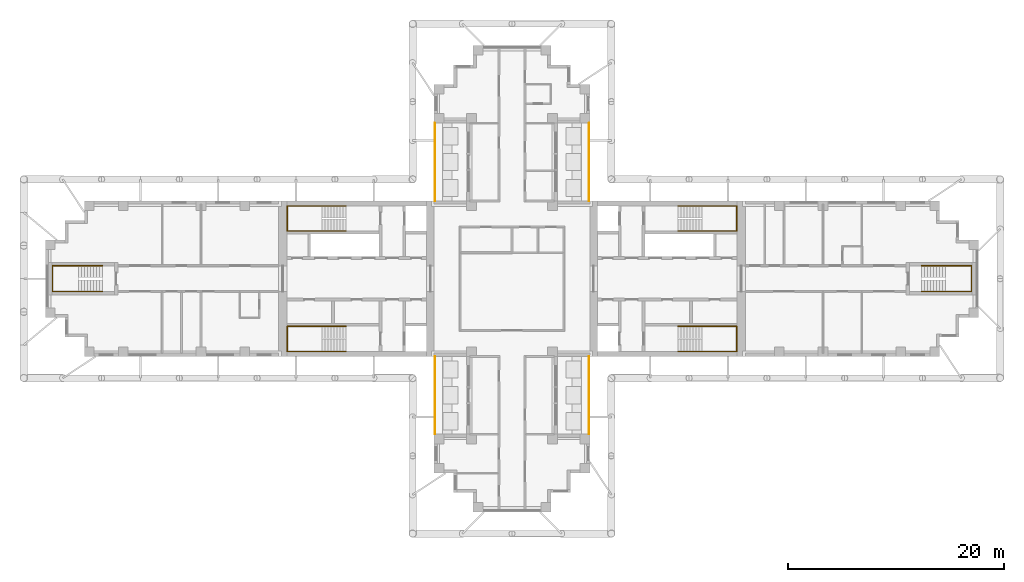
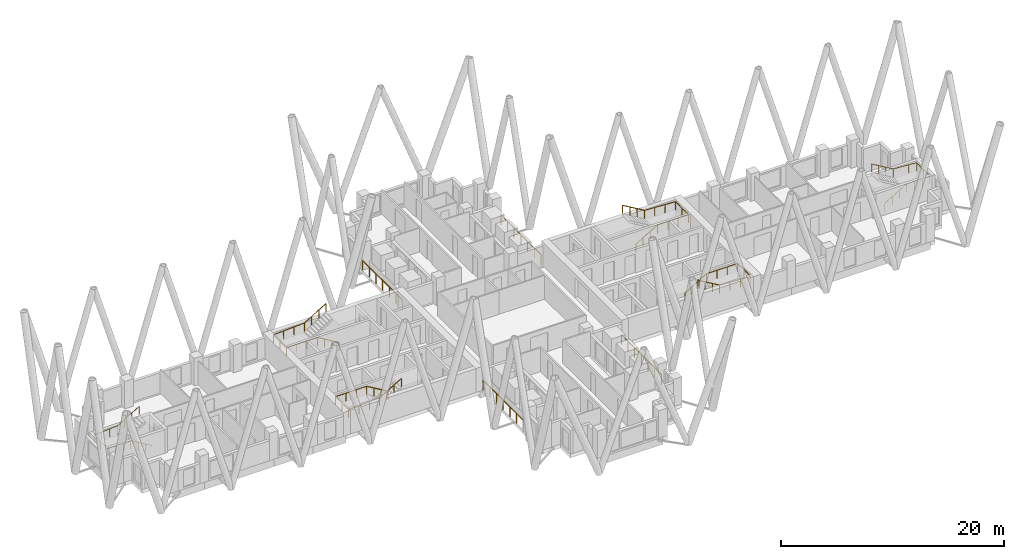
# One storey, part 11 of 12: 10 railings.
"""IFC4 building model written with IfcOpenShell, lengths in metres."""

from ifc_helpers import new_model, si_unit, direction, frame, origin, origin_2d, place, context, subcontext, project, spatial, circle, extrude, material, type_object, element, save


model = new_model("IFC4")

# Units and contexts
model_context = context("Model", 3, precision=1e-05, world=origin(), true_north=direction((0.0, 1.0)))
body_context = subcontext(model_context, "Body", "Model", "MODEL_VIEW")
ifc_project = project(units=[si_unit("LENGTHUNIT", "METRE"), si_unit("AREAUNIT", "SQUARE_METRE"), si_unit("VOLUMEUNIT", "CUBIC_METRE"), si_unit("PLANEANGLEUNIT", "RADIAN"), si_unit("MASSUNIT", "GRAM", prefix="KILO")], contexts=[model_context])

# Site, building, storey
site_placement = place(None, origin())
site = spatial("IfcSite", under=ifc_project, at=site_placement, CompositionType="ELEMENT")
building_placement = place(site_placement, origin())
building = spatial("IfcBuilding", under=site, at=building_placement, Name="Fustian Cross Tower", CompositionType="ELEMENT")
storey_placement = place(building_placement, frame((0.0, 0.0, 141.300048828125)))
storey = spatial("IfcBuildingStorey", under=building, at=storey_placement, Name="L44", CompositionType="ELEMENT", Elevation=141.300048828125)

# Railings
ifc_material_1 = material(Name="Stainless steel and glass", Category="steel")
railing_type_1 = type_object("IfcRailingType", Name="GR1 BALCONY GUARD 1100", PredefinedType="GUARDRAIL", material=ifc_material_1)
for number, where, name in (
    (1, (7.14990234375, 7.199951171875, 0.0), "Balcony guard"),
    (2, (-7.14990234375, 7.199951171875, 0.0), "Balcony guard"),
    (3, (7.14990234375, -14.39990234375, 0.0), "Balcony guard"),
    (4, (-7.14990234375, -14.39990234375, 0.0), "Balcony guard"),
):
    element("IfcRailing", number, at=place(storey_placement, frame(where)), inside=storey, type_object=railing_type_1, Name=name, PredefinedType="GUARDRAIL", context=body_context, shape_type="SweptSolid", body=[
        extrude(circle(Radius=0.02392578125, at=origin_2d()), frame((0.0, 0.0, 1.076171875), z_axis=(0.0, 1.0, 0.0), x_axis=(-1.0, 0.0, 0.0)), (0.0, 0.0, 1.0), 7.199951171875),
        extrude(circle(Radius=0.02099609375, at=origin_2d()), origin(), (0.0, 0.0, 1.0), 1.052001953125),
        extrude(circle(Radius=0.02099609375, at=origin_2d()), frame((0.0, 1.199951171875, 0.0)), (0.0, 0.0, 1.0), 1.052001953125),
        extrude(circle(Radius=0.02099609375, at=origin_2d()), frame((0.0, 2.39990234375, 0.0)), (0.0, 0.0, 1.0), 1.052001953125),
        extrude(circle(Radius=0.02099609375, at=origin_2d()), frame((0.0, 3.60009765625, 0.0)), (0.0, 0.0, 1.0), 1.052001953125),
        extrude(circle(Radius=0.02099609375, at=origin_2d()), frame((0.0, 4.800048828125, 0.0)), (0.0, 0.0, 1.0), 1.052001953125),
        extrude(circle(Radius=0.02099609375, at=origin_2d()), frame((0.0, 6.0, 0.0)), (0.0, 0.0, 1.0), 1.052001953125),
        extrude(circle(Radius=0.02099609375, at=origin_2d()), frame((0.0, 7.199951171875, 0.0)), (0.0, 0.0, 1.0), 1.052001953125),
    ])
ifc_material_2 = material(Name="Stainless steel", Category="steel")
railing_type_2 = type_object("IfcRailingType", Name="STAIR HANDRAIL", PredefinedType="HANDRAIL", material=ifc_material_2)
railing_1_placement = place(storey_placement, frame((15.35009765625, 4.39990234375, 0.16650390625)))
element("IfcRailing", 5, at=railing_1_placement, inside=storey, type_object=railing_type_2, Name="Stair ST1 handrail 1", PredefinedType="HANDRAIL", context=body_context, shape_type="SweptSolid", body=[
    extrude(circle(Radius=0.02490234375, at=origin_2d()), frame((0.0, 0.0, 0.875), z_axis=(0.859264461869, 0.0, 0.511531606619), x_axis=(0.0, 1.0, 0.0)), (0.0, 0.0, 1.0), 2.60693359375),
    extrude(circle(Radius=0.02490234375, at=origin_2d()), frame((2.239990234375, 0.0, 2.20849609375), z_axis=(1.0, 0.0, 0.0), x_axis=(0.0, 1.0, 0.0)), (0.0, 0.0, 1.0), 3.219970703125),
    extrude(circle(Radius=0.02490234375, at=origin_2d()), frame((5.4599609375, 0.0, 2.20849609375), z_axis=(0.0, 1.0, 0.0), x_axis=(-1.0, 0.0, 0.0)), (0.0, 0.0, 1.0), 2.35009765625),
    extrude(circle(Radius=0.02490234375, at=origin_2d()), frame((5.4599609375, 2.35009765625, 2.20849609375), z_axis=(-0.998665725648, 0.0, 0.051640763128), x_axis=(0.0, -1.0, 0.0)), (0.0, 0.0, 1.0), 3.224365234375),
    extrude(circle(Radius=0.02490234375, at=origin_2d()), frame((2.239990234375, 2.35009765625, 2.375), z_axis=(-0.859264461869, 0.0, 0.511531606619), x_axis=(0.0, -1.0, 0.0)), (0.0, 0.0, 1.0), 2.60693359375),
    extrude(circle(Radius=0.02001953125, at=origin_2d()), origin(), (0.0, 0.0, 1.0), 0.849853515625),
    extrude(circle(Radius=0.02001953125, at=origin_2d()), frame((0.74658203125, 0.0, 0.444580078125)), (0.0, 0.0, 1.0), 0.849853515625),
    extrude(circle(Radius=0.02001953125, at=origin_2d()), frame((1.493408203125, 0.0, 0.888916015625)), (0.0, 0.0, 1.0), 0.849853515625),
    extrude(circle(Radius=0.02001953125, at=origin_2d()), frame((2.239990234375, 0.0, 1.33349609375)), (0.0, 0.0, 1.0), 0.849853515625),
    extrude(circle(Radius=0.02001953125, at=origin_2d()), frame((3.313232421875, 0.0, 1.33349609375)), (0.0, 0.0, 1.0), 0.849853515625),
    extrude(circle(Radius=0.02001953125, at=origin_2d()), frame((4.38671875, 0.0, 1.33349609375)), (0.0, 0.0, 1.0), 0.849853515625),
    extrude(circle(Radius=0.02001953125, at=origin_2d()), frame((5.4599609375, 0.0, 1.33349609375)), (0.0, 0.0, 1.0), 0.849853515625),
    extrude(circle(Radius=0.02001953125, at=origin_2d()), frame((5.4599609375, 1.175048828125, 1.33349609375)), (0.0, 0.0, 1.0), 0.849853515625),
    extrude(circle(Radius=0.02001953125, at=origin_2d()), frame((5.4599609375, 2.35009765625, 1.33349609375)), (0.0, 0.0, 1.0), 0.849853515625),
    extrude(circle(Radius=0.02001953125, at=origin_2d()), frame((4.38671875, 2.35009765625, 1.388916015625)), (0.0, 0.0, 1.0), 0.849853515625),
    extrude(circle(Radius=0.02001953125, at=origin_2d()), frame((3.313232421875, 2.35009765625, 1.444580078125)), (0.0, 0.0, 1.0), 0.849853515625),
    extrude(circle(Radius=0.02001953125, at=origin_2d()), frame((2.239990234375, 2.35009765625, 1.5)), (0.0, 0.0, 1.0), 0.849853515625),
    extrude(circle(Radius=0.02001953125, at=origin_2d()), frame((1.493408203125, 2.35009765625, 1.944580078125)), (0.0, 0.0, 1.0), 0.849853515625),
    extrude(circle(Radius=0.02001953125, at=origin_2d()), frame((0.74658203125, 2.35009765625, 2.388916015625)), (0.0, 0.0, 1.0), 0.849853515625),
    extrude(circle(Radius=0.02001953125, at=origin_2d()), frame((0.0, 2.35009765625, 2.83349609375)), (0.0, 0.0, 1.0), 0.849853515625),
])
railing_2_placement = place(storey_placement, frame((15.35009765625, -4.39990234375, 0.16650390625)))
element("IfcRailing", 6, at=railing_2_placement, inside=storey, type_object=railing_type_2, Name="Stair ST2 handrail 1", PredefinedType="HANDRAIL", context=body_context, shape_type="SweptSolid", body=[
    extrude(circle(Radius=0.02490234375, at=origin_2d()), frame((0.0, 0.0, 0.875), z_axis=(0.859264461869, 0.0, 0.511531606619), x_axis=(0.0, 1.0, 0.0)), (0.0, 0.0, 1.0), 2.60693359375),
    extrude(circle(Radius=0.02490234375, at=origin_2d()), frame((2.239990234375, 0.0, 2.20849609375), z_axis=(1.0, 0.0, 0.0), x_axis=(0.0, 1.0, 0.0)), (0.0, 0.0, 1.0), 3.219970703125),
    extrude(circle(Radius=0.02490234375, at=origin_2d()), frame((5.4599609375, 0.0, 2.20849609375), z_axis=(0.0, -1.0, 0.0), x_axis=(1.0, 0.0, 0.0)), (0.0, 0.0, 1.0), 2.35009765625),
    extrude(circle(Radius=0.02490234375, at=origin_2d()), frame((5.4599609375, -2.35009765625, 2.20849609375), z_axis=(-0.998665725648, 0.0, 0.051640763128), x_axis=(0.0, -1.0, 0.0)), (0.0, 0.0, 1.0), 3.224365234375),
    extrude(circle(Radius=0.02490234375, at=origin_2d()), frame((2.239990234375, -2.35009765625, 2.375), z_axis=(-0.859264461869, 0.0, 0.511531606619), x_axis=(0.0, -1.0, 0.0)), (0.0, 0.0, 1.0), 2.60693359375),
    extrude(circle(Radius=0.02001953125, at=origin_2d()), origin(), (0.0, 0.0, 1.0), 0.849853515625),
    extrude(circle(Radius=0.02001953125, at=origin_2d()), frame((0.74658203125, 0.0, 0.444580078125)), (0.0, 0.0, 1.0), 0.849853515625),
    extrude(circle(Radius=0.02001953125, at=origin_2d()), frame((1.493408203125, 0.0, 0.888916015625)), (0.0, 0.0, 1.0), 0.849853515625),
    extrude(circle(Radius=0.02001953125, at=origin_2d()), frame((2.239990234375, 0.0, 1.33349609375)), (0.0, 0.0, 1.0), 0.849853515625),
    extrude(circle(Radius=0.02001953125, at=origin_2d()), frame((3.313232421875, 0.0, 1.33349609375)), (0.0, 0.0, 1.0), 0.849853515625),
    extrude(circle(Radius=0.02001953125, at=origin_2d()), frame((4.38671875, 0.0, 1.33349609375)), (0.0, 0.0, 1.0), 0.849853515625),
    extrude(circle(Radius=0.02001953125, at=origin_2d()), frame((5.4599609375, 0.0, 1.33349609375)), (0.0, 0.0, 1.0), 0.849853515625),
    extrude(circle(Radius=0.02001953125, at=origin_2d()), frame((5.4599609375, -1.175048828125, 1.33349609375)), (0.0, 0.0, 1.0), 0.849853515625),
    extrude(circle(Radius=0.02001953125, at=origin_2d()), frame((5.4599609375, -2.35009765625, 1.33349609375)), (0.0, 0.0, 1.0), 0.849853515625),
    extrude(circle(Radius=0.02001953125, at=origin_2d()), frame((4.38671875, -2.35009765625, 1.388916015625)), (0.0, 0.0, 1.0), 0.849853515625),
    extrude(circle(Radius=0.02001953125, at=origin_2d()), frame((3.313232421875, -2.35009765625, 1.444580078125)), (0.0, 0.0, 1.0), 0.849853515625),
    extrude(circle(Radius=0.02001953125, at=origin_2d()), frame((2.239990234375, -2.35009765625, 1.5)), (0.0, 0.0, 1.0), 0.849853515625),
    extrude(circle(Radius=0.02001953125, at=origin_2d()), frame((1.493408203125, -2.35009765625, 1.944580078125)), (0.0, 0.0, 1.0), 0.849853515625),
    extrude(circle(Radius=0.02001953125, at=origin_2d()), frame((0.74658203125, -2.35009765625, 2.388916015625)), (0.0, 0.0, 1.0), 0.849853515625),
    extrude(circle(Radius=0.02001953125, at=origin_2d()), frame((0.0, -2.35009765625, 2.83349609375)), (0.0, 0.0, 1.0), 0.849853515625),
])
railing_3_placement = place(storey_placement, frame((-15.35009765625, 4.39990234375, 0.16650390625)))
element("IfcRailing", 7, at=railing_3_placement, inside=storey, type_object=railing_type_2, Name="Stair ST3 handrail 1", PredefinedType="HANDRAIL", context=body_context, shape_type="SweptSolid", body=[
    extrude(circle(Radius=0.02490234375, at=origin_2d()), frame((0.0, 0.0, 0.875), z_axis=(-0.859264461869, 0.0, 0.511531606619), x_axis=(0.0, -1.0, 0.0)), (0.0, 0.0, 1.0), 2.60693359375),
    extrude(circle(Radius=0.02490234375, at=origin_2d()), frame((-2.239990234375, 0.0, 2.20849609375), z_axis=(-1.0, 0.0, 0.0), x_axis=(0.0, -1.0, 0.0)), (0.0, 0.0, 1.0), 3.219970703125),
    extrude(circle(Radius=0.02490234375, at=origin_2d()), frame((-5.4599609375, 0.0, 2.20849609375), z_axis=(0.0, 1.0, 0.0), x_axis=(-1.0, 0.0, 0.0)), (0.0, 0.0, 1.0), 2.35009765625),
    extrude(circle(Radius=0.02490234375, at=origin_2d()), frame((-5.4599609375, 2.35009765625, 2.20849609375), z_axis=(0.998665725648, 0.0, 0.051640763128), x_axis=(0.0, 1.0, 0.0)), (0.0, 0.0, 1.0), 3.224365234375),
    extrude(circle(Radius=0.02490234375, at=origin_2d()), frame((-2.239990234375, 2.35009765625, 2.375), z_axis=(0.859264461869, 0.0, 0.511531606619), x_axis=(0.0, 1.0, 0.0)), (0.0, 0.0, 1.0), 2.60693359375),
    extrude(circle(Radius=0.02001953125, at=origin_2d()), origin(), (0.0, 0.0, 1.0), 0.849853515625),
    extrude(circle(Radius=0.02001953125, at=origin_2d()), frame((-0.74658203125, 0.0, 0.444580078125)), (0.0, 0.0, 1.0), 0.849853515625),
    extrude(circle(Radius=0.02001953125, at=origin_2d()), frame((-1.493408203125, 0.0, 0.888916015625)), (0.0, 0.0, 1.0), 0.849853515625),
    extrude(circle(Radius=0.02001953125, at=origin_2d()), frame((-2.239990234375, 0.0, 1.33349609375)), (0.0, 0.0, 1.0), 0.849853515625),
    extrude(circle(Radius=0.02001953125, at=origin_2d()), frame((-3.313232421875, 0.0, 1.33349609375)), (0.0, 0.0, 1.0), 0.849853515625),
    extrude(circle(Radius=0.02001953125, at=origin_2d()), frame((-4.38671875, 0.0, 1.33349609375)), (0.0, 0.0, 1.0), 0.849853515625),
    extrude(circle(Radius=0.02001953125, at=origin_2d()), frame((-5.4599609375, 0.0, 1.33349609375)), (0.0, 0.0, 1.0), 0.849853515625),
    extrude(circle(Radius=0.02001953125, at=origin_2d()), frame((-5.4599609375, 1.175048828125, 1.33349609375)), (0.0, 0.0, 1.0), 0.849853515625),
    extrude(circle(Radius=0.02001953125, at=origin_2d()), frame((-5.4599609375, 2.35009765625, 1.33349609375)), (0.0, 0.0, 1.0), 0.849853515625),
    extrude(circle(Radius=0.02001953125, at=origin_2d()), frame((-4.38671875, 2.35009765625, 1.388916015625)), (0.0, 0.0, 1.0), 0.849853515625),
    extrude(circle(Radius=0.02001953125, at=origin_2d()), frame((-3.313232421875, 2.35009765625, 1.444580078125)), (0.0, 0.0, 1.0), 0.849853515625),
    extrude(circle(Radius=0.02001953125, at=origin_2d()), frame((-2.239990234375, 2.35009765625, 1.5)), (0.0, 0.0, 1.0), 0.849853515625),
    extrude(circle(Radius=0.02001953125, at=origin_2d()), frame((-1.493408203125, 2.35009765625, 1.944580078125)), (0.0, 0.0, 1.0), 0.849853515625),
    extrude(circle(Radius=0.02001953125, at=origin_2d()), frame((-0.74658203125, 2.35009765625, 2.388916015625)), (0.0, 0.0, 1.0), 0.849853515625),
    extrude(circle(Radius=0.02001953125, at=origin_2d()), frame((0.0, 2.35009765625, 2.83349609375)), (0.0, 0.0, 1.0), 0.849853515625),
])
railing_4_placement = place(storey_placement, frame((-15.35009765625, -4.39990234375, 0.16650390625)))
element("IfcRailing", 8, at=railing_4_placement, inside=storey, type_object=railing_type_2, Name="Stair ST4 handrail 1", PredefinedType="HANDRAIL", context=body_context, shape_type="SweptSolid", body=[
    extrude(circle(Radius=0.02490234375, at=origin_2d()), frame((0.0, 0.0, 0.875), z_axis=(-0.859264461869, 0.0, 0.511531606619), x_axis=(0.0, -1.0, 0.0)), (0.0, 0.0, 1.0), 2.60693359375),
    extrude(circle(Radius=0.02490234375, at=origin_2d()), frame((-2.239990234375, 0.0, 2.20849609375), z_axis=(-1.0, 0.0, 0.0), x_axis=(0.0, -1.0, 0.0)), (0.0, 0.0, 1.0), 3.219970703125),
    extrude(circle(Radius=0.02490234375, at=origin_2d()), frame((-5.4599609375, 0.0, 2.20849609375), z_axis=(0.0, -1.0, 0.0), x_axis=(1.0, 0.0, 0.0)), (0.0, 0.0, 1.0), 2.35009765625),
    extrude(circle(Radius=0.02490234375, at=origin_2d()), frame((-5.4599609375, -2.35009765625, 2.20849609375), z_axis=(0.998665725648, 0.0, 0.051640763128), x_axis=(0.0, 1.0, 0.0)), (0.0, 0.0, 1.0), 3.224365234375),
    extrude(circle(Radius=0.02490234375, at=origin_2d()), frame((-2.239990234375, -2.35009765625, 2.375), z_axis=(0.859264461869, 0.0, 0.511531606619), x_axis=(0.0, 1.0, 0.0)), (0.0, 0.0, 1.0), 2.60693359375),
    extrude(circle(Radius=0.02001953125, at=origin_2d()), origin(), (0.0, 0.0, 1.0), 0.849853515625),
    extrude(circle(Radius=0.02001953125, at=origin_2d()), frame((-0.74658203125, 0.0, 0.444580078125)), (0.0, 0.0, 1.0), 0.849853515625),
    extrude(circle(Radius=0.02001953125, at=origin_2d()), frame((-1.493408203125, 0.0, 0.888916015625)), (0.0, 0.0, 1.0), 0.849853515625),
    extrude(circle(Radius=0.02001953125, at=origin_2d()), frame((-2.239990234375, 0.0, 1.33349609375)), (0.0, 0.0, 1.0), 0.849853515625),
    extrude(circle(Radius=0.02001953125, at=origin_2d()), frame((-3.313232421875, 0.0, 1.33349609375)), (0.0, 0.0, 1.0), 0.849853515625),
    extrude(circle(Radius=0.02001953125, at=origin_2d()), frame((-4.38671875, 0.0, 1.33349609375)), (0.0, 0.0, 1.0), 0.849853515625),
    extrude(circle(Radius=0.02001953125, at=origin_2d()), frame((-5.4599609375, 0.0, 1.33349609375)), (0.0, 0.0, 1.0), 0.849853515625),
    extrude(circle(Radius=0.02001953125, at=origin_2d()), frame((-5.4599609375, -1.175048828125, 1.33349609375)), (0.0, 0.0, 1.0), 0.849853515625),
    extrude(circle(Radius=0.02001953125, at=origin_2d()), frame((-5.4599609375, -2.35009765625, 1.33349609375)), (0.0, 0.0, 1.0), 0.849853515625),
    extrude(circle(Radius=0.02001953125, at=origin_2d()), frame((-4.38671875, -2.35009765625, 1.388916015625)), (0.0, 0.0, 1.0), 0.849853515625),
    extrude(circle(Radius=0.02001953125, at=origin_2d()), frame((-3.313232421875, -2.35009765625, 1.444580078125)), (0.0, 0.0, 1.0), 0.849853515625),
    extrude(circle(Radius=0.02001953125, at=origin_2d()), frame((-2.239990234375, -2.35009765625, 1.5)), (0.0, 0.0, 1.0), 0.849853515625),
    extrude(circle(Radius=0.02001953125, at=origin_2d()), frame((-1.493408203125, -2.35009765625, 1.944580078125)), (0.0, 0.0, 1.0), 0.849853515625),
    extrude(circle(Radius=0.02001953125, at=origin_2d()), frame((-0.74658203125, -2.35009765625, 2.388916015625)), (0.0, 0.0, 1.0), 0.849853515625),
    extrude(circle(Radius=0.02001953125, at=origin_2d()), frame((0.0, -2.35009765625, 2.83349609375)), (0.0, 0.0, 1.0), 0.849853515625),
])
railing_5_placement = place(storey_placement, frame((37.89990234375, -1.199951171875, 0.16650390625)))
element("IfcRailing", 9, at=railing_5_placement, inside=storey, type_object=railing_type_2, Name="Stair ST8 handrail 1", PredefinedType="HANDRAIL", context=body_context, shape_type="SweptSolid", body=[
    extrude(circle(Radius=0.02490234375, at=origin_2d()), frame((0.0, 0.0, 0.875), z_axis=(0.859264461869, 0.0, 0.511531606619), x_axis=(0.0, 1.0, 0.0)), (0.0, 0.0, 1.0), 2.60693359375),
    extrude(circle(Radius=0.02490234375, at=origin_2d()), frame((2.239990234375, 0.0, 2.20849609375), z_axis=(1.0, 0.0, 0.0), x_axis=(0.0, 1.0, 0.0)), (0.0, 0.0, 1.0), 2.420166015625),
    extrude(circle(Radius=0.02490234375, at=origin_2d()), frame((4.66015625, 0.0, 2.20849609375), z_axis=(0.0, 1.0, 0.0), x_axis=(-1.0, 0.0, 0.0)), (0.0, 0.0, 1.0), 2.39990234375),
    extrude(circle(Radius=0.02490234375, at=origin_2d()), frame((4.66015625, 2.39990234375, 2.20849609375), z_axis=(-0.997641748275, 0.0, 0.068636303069), x_axis=(0.0, -1.0, 0.0)), (0.0, 0.0, 1.0), 2.42578125),
    extrude(circle(Radius=0.02490234375, at=origin_2d()), frame((2.239990234375, 2.39990234375, 2.375), z_axis=(-0.859264461869, 0.0, 0.511531606619), x_axis=(0.0, -1.0, 0.0)), (0.0, 0.0, 1.0), 2.60693359375),
    extrude(circle(Radius=0.02001953125, at=origin_2d()), origin(), (0.0, 0.0, 1.0), 0.849853515625),
    extrude(circle(Radius=0.02001953125, at=origin_2d()), frame((0.74658203125, 0.0, 0.444580078125)), (0.0, 0.0, 1.0), 0.849853515625),
    extrude(circle(Radius=0.02001953125, at=origin_2d()), frame((1.493408203125, 0.0, 0.888916015625)), (0.0, 0.0, 1.0), 0.849853515625),
    extrude(circle(Radius=0.02001953125, at=origin_2d()), frame((2.239990234375, 0.0, 1.33349609375)), (0.0, 0.0, 1.0), 0.849853515625),
    extrude(circle(Radius=0.02001953125, at=origin_2d()), frame((3.046630859375, 0.0, 1.33349609375)), (0.0, 0.0, 1.0), 0.849853515625),
    extrude(circle(Radius=0.02001953125, at=origin_2d()), frame((3.853515625, 0.0, 1.33349609375)), (0.0, 0.0, 1.0), 0.849853515625),
    extrude(circle(Radius=0.02001953125, at=origin_2d()), frame((4.66015625, 0.0, 1.33349609375)), (0.0, 0.0, 1.0), 0.849853515625),
    extrude(circle(Radius=0.02001953125, at=origin_2d()), frame((4.66015625, 1.199951171875, 1.33349609375)), (0.0, 0.0, 1.0), 0.849853515625),
    extrude(circle(Radius=0.02001953125, at=origin_2d()), frame((4.66015625, 2.39990234375, 1.33349609375)), (0.0, 0.0, 1.0), 0.849853515625),
    extrude(circle(Radius=0.02001953125, at=origin_2d()), frame((3.853515625, 2.39990234375, 1.388916015625)), (0.0, 0.0, 1.0), 0.849853515625),
    extrude(circle(Radius=0.02001953125, at=origin_2d()), frame((3.046630859375, 2.39990234375, 1.444580078125)), (0.0, 0.0, 1.0), 0.849853515625),
    extrude(circle(Radius=0.02001953125, at=origin_2d()), frame((2.239990234375, 2.39990234375, 1.5)), (0.0, 0.0, 1.0), 0.849853515625),
    extrude(circle(Radius=0.02001953125, at=origin_2d()), frame((1.493408203125, 2.39990234375, 1.944580078125)), (0.0, 0.0, 1.0), 0.849853515625),
    extrude(circle(Radius=0.02001953125, at=origin_2d()), frame((0.74658203125, 2.39990234375, 2.388916015625)), (0.0, 0.0, 1.0), 0.849853515625),
    extrude(circle(Radius=0.02001953125, at=origin_2d()), frame((0.0, 2.39990234375, 2.83349609375)), (0.0, 0.0, 1.0), 0.849853515625),
])
railing_6_placement = place(storey_placement, frame((-37.89990234375, -1.199951171875, 0.16650390625)))
element("IfcRailing", 10, at=railing_6_placement, inside=storey, type_object=railing_type_2, Name="Stair ST9 handrail 1", PredefinedType="HANDRAIL", context=body_context, shape_type="SweptSolid", body=[
    extrude(circle(Radius=0.02490234375, at=origin_2d()), frame((0.0, 0.0, 0.875), z_axis=(-0.859264461869, 0.0, 0.511531606619), x_axis=(0.0, -1.0, 0.0)), (0.0, 0.0, 1.0), 2.60693359375),
    extrude(circle(Radius=0.02490234375, at=origin_2d()), frame((-2.239990234375, 0.0, 2.20849609375), z_axis=(-1.0, 0.0, 0.0), x_axis=(0.0, -1.0, 0.0)), (0.0, 0.0, 1.0), 2.420166015625),
    extrude(circle(Radius=0.02490234375, at=origin_2d()), frame((-4.66015625, 0.0, 2.20849609375), z_axis=(0.0, 1.0, 0.0), x_axis=(-1.0, 0.0, 0.0)), (0.0, 0.0, 1.0), 2.39990234375),
    extrude(circle(Radius=0.02490234375, at=origin_2d()), frame((-4.66015625, 2.39990234375, 2.20849609375), z_axis=(0.997641748275, 0.0, 0.068636303069), x_axis=(0.0, 1.0, 0.0)), (0.0, 0.0, 1.0), 2.42578125),
    extrude(circle(Radius=0.02490234375, at=origin_2d()), frame((-2.239990234375, 2.39990234375, 2.375), z_axis=(0.859264461869, 0.0, 0.511531606619), x_axis=(0.0, 1.0, 0.0)), (0.0, 0.0, 1.0), 2.60693359375),
    extrude(circle(Radius=0.02001953125, at=origin_2d()), origin(), (0.0, 0.0, 1.0), 0.849853515625),
    extrude(circle(Radius=0.02001953125, at=origin_2d()), frame((-0.74658203125, 0.0, 0.444580078125)), (0.0, 0.0, 1.0), 0.849853515625),
    extrude(circle(Radius=0.02001953125, at=origin_2d()), frame((-1.493408203125, 0.0, 0.888916015625)), (0.0, 0.0, 1.0), 0.849853515625),
    extrude(circle(Radius=0.02001953125, at=origin_2d()), frame((-2.239990234375, 0.0, 1.33349609375)), (0.0, 0.0, 1.0), 0.849853515625),
    extrude(circle(Radius=0.02001953125, at=origin_2d()), frame((-3.046630859375, 0.0, 1.33349609375)), (0.0, 0.0, 1.0), 0.849853515625),
    extrude(circle(Radius=0.02001953125, at=origin_2d()), frame((-3.853515625, 0.0, 1.33349609375)), (0.0, 0.0, 1.0), 0.849853515625),
    extrude(circle(Radius=0.02001953125, at=origin_2d()), frame((-4.66015625, 0.0, 1.33349609375)), (0.0, 0.0, 1.0), 0.849853515625),
    extrude(circle(Radius=0.02001953125, at=origin_2d()), frame((-4.66015625, 1.199951171875, 1.33349609375)), (0.0, 0.0, 1.0), 0.849853515625),
    extrude(circle(Radius=0.02001953125, at=origin_2d()), frame((-4.66015625, 2.39990234375, 1.33349609375)), (0.0, 0.0, 1.0), 0.849853515625),
    extrude(circle(Radius=0.02001953125, at=origin_2d()), frame((-3.853515625, 2.39990234375, 1.388916015625)), (0.0, 0.0, 1.0), 0.849853515625),
    extrude(circle(Radius=0.02001953125, at=origin_2d()), frame((-3.046630859375, 2.39990234375, 1.444580078125)), (0.0, 0.0, 1.0), 0.849853515625),
    extrude(circle(Radius=0.02001953125, at=origin_2d()), frame((-2.239990234375, 2.39990234375, 1.5)), (0.0, 0.0, 1.0), 0.849853515625),
    extrude(circle(Radius=0.02001953125, at=origin_2d()), frame((-1.493408203125, 2.39990234375, 1.944580078125)), (0.0, 0.0, 1.0), 0.849853515625),
    extrude(circle(Radius=0.02001953125, at=origin_2d()), frame((-0.74658203125, 2.39990234375, 2.388916015625)), (0.0, 0.0, 1.0), 0.849853515625),
    extrude(circle(Radius=0.02001953125, at=origin_2d()), frame((0.0, 2.39990234375, 2.83349609375)), (0.0, 0.0, 1.0), 0.849853515625),
])

save(model, "model.ifc")
